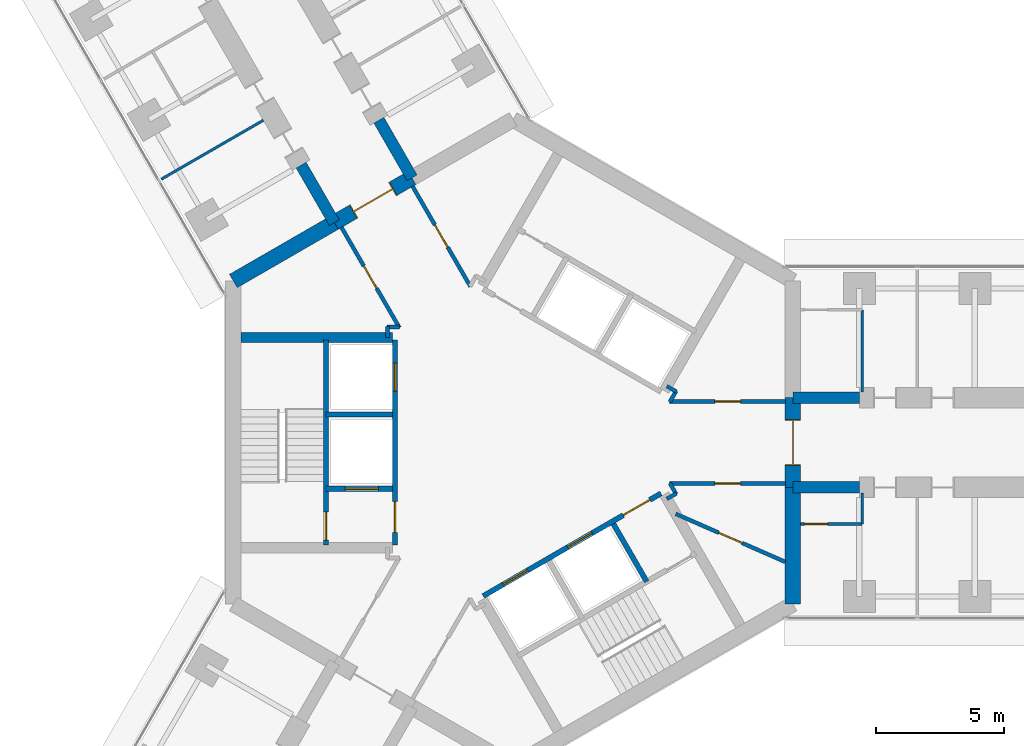
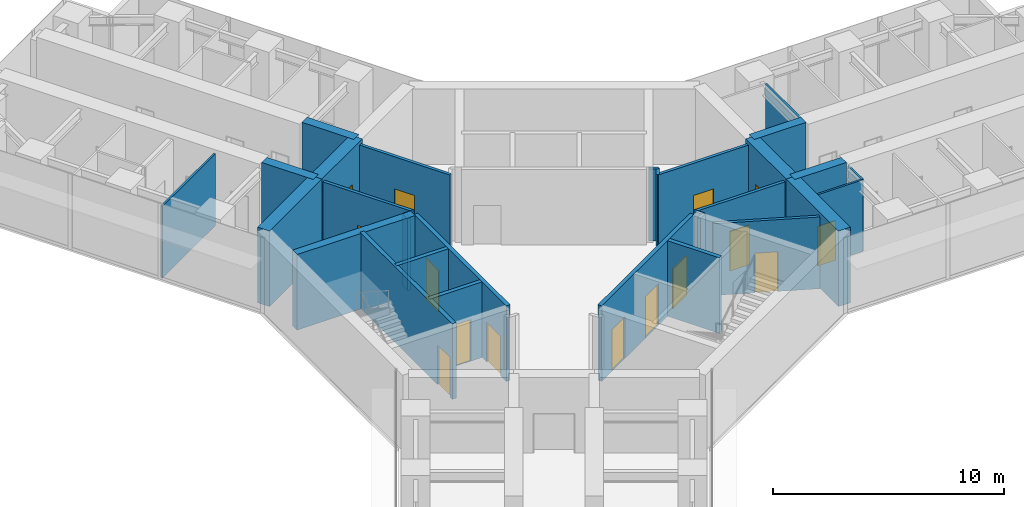
# One storey, part 16 of 23: 30 walls, 15 doors, 15 openings.
"""IFC4 building model written with IfcOpenShell, lengths in metres."""

from ifc_helpers import new_model, si_unit, direction, frame, frame_2d, origin, place, context, subcontext, project, spatial, rectangle, extrude, material, layer, layer_set, type_object, element, fill, save


model = new_model("IFC4")

# Units and contexts
model_context = context("Model", 3, precision=1e-05, world=origin(), true_north=direction((0.0, 1.0)))
body_context = subcontext(model_context, "Body", "Model", "MODEL_VIEW")
ifc_project = project(units=[si_unit("LENGTHUNIT", "METRE"), si_unit("AREAUNIT", "SQUARE_METRE"), si_unit("VOLUMEUNIT", "CUBIC_METRE"), si_unit("PLANEANGLEUNIT", "RADIAN"), si_unit("MASSUNIT", "GRAM", prefix="KILO")], contexts=[model_context])

# Site, building, storey
site_placement = place(None, origin())
site = spatial("IfcSite", under=ifc_project, at=site_placement, CompositionType="ELEMENT")
building_placement = place(site_placement, origin())
building = spatial("IfcBuilding", under=site, at=building_placement, Name="Upepo Twin Towers", CompositionType="ELEMENT")
storey_placement = place(building_placement, frame((0.0, 0.0, 145.5)))
storey = spatial("IfcBuildingStorey", under=building, at=storey_placement, Name="L35", CompositionType="ELEMENT", Elevation=145.5)

# Walls
ifc_material_1 = material(Name="Concrete C60/75", Category="concrete")
ifc_layer_1 = layer(ifc_material_1, 0.449951171875)
ifc_layer_set_1 = layer_set([ifc_layer_1], Name="Concrete C60/75")
wall_type_1 = type_object("IfcWallType", Name="Buttress wall 450 RC", PredefinedType="SHEAR", material=ifc_layer_set_1)
for number, where, z_axis, x_axis, name in (
    (1, (10.908447265625, 1.75, 0.0), (0.0, 0.0, 1.0), (1.0, 0.0, 0.0), "T1 wing A buttress wall L"),
    (2, (10.908447265625, -1.75, 0.0), (0.0, 0.0, 1.0), (1.0, 0.0, 0.0), "T1 wing A buttress wall R"),
):
    element("IfcWall", number, at=place(storey_placement, frame(where, z_axis=z_axis, x_axis=x_axis)), inside=storey, type_object=wall_type_1, Name=name, PredefinedType="SHEAR", context=body_context, shape_type="SweptSolid", body=[
        extrude(rectangle(XDim=2.591552734375, YDim=0.449951171875, at=frame_2d((1.2958984375, 0.0))), origin(), (0.0, 0.0, 1.0), 4.0),
    ])
for number, where, z_axis, x_axis, name in (
    (3, (-6.9697265625, 8.57177734375, 0.0), (0.0, 0.0, 1.0), (-0.499988811324, 0.866031863473, 0.0), "T1 wing B buttress wall L"),
    (4, (-3.938720703125, 10.32177734375, 0.0), (0.0, 0.0, 1.0), (-0.499918158782, 0.866072649678, 0.0), "T1 wing B buttress wall R"),
):
    element("IfcWall", number, at=place(storey_placement, frame(where, z_axis=z_axis, x_axis=x_axis)), inside=storey, type_object=wall_type_1, Name=name, PredefinedType="SHEAR", context=body_context, shape_type="SweptSolid", body=[
        extrude(rectangle(XDim=2.591796875, YDim=0.449951171875, at=frame_2d((1.2958984375, 0.0))), origin(), (0.0, 0.0, 1.0), 4.0),
    ])
ifc_material_2 = material(Name="Concrete C60/75", Category="concrete")
ifc_layer_2 = layer(ifc_material_2, 0.60009765625)
ifc_layer_set_2 = layer_set([ifc_layer_2], Name="Concrete C60/75")
wall_type_2 = type_object("IfcWallType", Name="Core wall 600 RC", PredefinedType="SHEAR", material=ifc_layer_set_2)
wall_1_placement = place(storey_placement, frame((10.908447265625, -6.2978515625, 0.0), z_axis=(0.0, 0.0, 1.0), x_axis=(0.0, 1.0, 0.0)))
element("IfcWall", 5, at=wall_1_placement, inside=storey, type_object=wall_type_2, Name="T1 core wall 000 R", PredefinedType="SHEAR", context=body_context, shape_type="SweptSolid", body=[
    extrude(rectangle(XDim=4.5478515625, YDim=0.60009765625, at=frame_2d((2.27392578125, 0.0))), origin(), (0.0, 0.0, 1.0), 4.0),
])

# Wall, opening, door
wall_2_placement = place(storey_placement, frame((10.908447265625, -1.75, 0.0), z_axis=(0.0, 0.0, 1.0), x_axis=(0.0, 1.0, 0.0)))
wall_2 = element("IfcWall", 6, at=wall_2_placement, inside=storey, type_object=wall_type_2, Name="T1 core wall 000", PredefinedType="SHEAR", context=body_context, shape_type="SweptSolid", body=[
    extrude(rectangle(XDim=3.5, YDim=0.60009765625, at=frame_2d((1.75, 0.0))), origin(), (0.0, 0.0, 1.0), 4.0),
])
opening_1_placement = place(wall_2_placement, frame((0.85009765625, 0.0, 0.0)))
opening_1 = element("IfcOpeningElement", 7, at=opening_1_placement, cuts=wall_2, Name="Opening D2", PredefinedType="OPENING", context=body_context, shape_type="SweptSolid", body=[
    extrude(rectangle(XDim=1.800048828125, YDim=2.10009765625, at=frame_2d((0.89990234375, 1.050048828125))), frame((0.0, 0.31005859375, 0.0), z_axis=(0.0, -1.0, 0.0), x_axis=(1.0, 0.0, 0.0)), (0.0, 0.0, 1.0), 0.6201171875),
])
ifc_material_3 = material(Name="Timber doorset", Category="wood")
door_type_1 = type_object("IfcDoorType", Name="Corridor double door 1800 FD60", OperationType="DOUBLE_DOOR_DOUBLE_SWING", PredefinedType="DOOR", material=ifc_material_3)
door_1_placement = place(opening_1_placement, origin())
door_1 = element("IfcDoor", 8, at=door_1_placement, inside=storey, type_object=door_type_1, Name="T1 L35 wing A corridor door", OperationType="DOUBLE_DOOR_DOUBLE_SWING", OverallHeight=2.10009765625, OverallWidth=1.800048828125, PredefinedType="DOOR", context=body_context, shape_type="SweptSolid", body=[
    extrude(rectangle(XDim=1.720048828125, YDim=2.06009765625, at=frame_2d((0.89990234375, 1.030029296875))), frame((0.0, 0.02490234375, 0.0), z_axis=(0.0, -1.0, 0.0), x_axis=(1.0, 0.0, 0.0)), (0.0, 0.0, 1.0), 0.050048828125),
    extrude(rectangle(XDim=0.04, YDim=2.10009765625, at=frame_2d((0.02001953125, 1.050048828125))), frame((0.0, 0.2998046875, 0.0), z_axis=(0.0, -1.0, 0.0), x_axis=(1.0, 0.0, 0.0)), (0.0, 0.0, 1.0), 0.599609375),
    extrude(rectangle(XDim=0.04, YDim=2.10009765625, at=frame_2d((1.780029296875, 1.050048828125))), frame((0.0, 0.2998046875, 0.0), z_axis=(0.0, -1.0, 0.0), x_axis=(1.0, 0.0, 0.0)), (0.0, 0.0, 1.0), 0.599609375),
    extrude(rectangle(XDim=1.720048828125, YDim=0.04, at=frame_2d((0.89990234375, 2.080078125))), frame((0.0, 0.2998046875, 0.0), z_axis=(0.0, -1.0, 0.0), x_axis=(1.0, 0.0, 0.0)), (0.0, 0.0, 1.0), 0.599609375),
])
fill(opening_1, door_1)

wall_3_placement = place(storey_placement, frame((-3.938720703125, 10.32177734375, 0.0), z_axis=(0.0, 0.0, 1.0), x_axis=(-0.866019471182, -0.500010275428, 0.0)))
wall_3 = element("IfcWall", 9, at=wall_3_placement, inside=storey, type_object=wall_type_2, Name="T1 core wall 120", PredefinedType="SHEAR", context=body_context, shape_type="SweptSolid", body=[
    extrude(rectangle(XDim=3.5, YDim=0.60009765625, at=frame_2d((1.75, 0.0))), origin(), (0.0, 0.0, 1.0), 4.0),
])
opening_2_placement = place(wall_3_placement, frame((0.85009765625, 0.0, 0.0)))
opening_2 = element("IfcOpeningElement", 10, at=opening_2_placement, cuts=wall_3, Name="Opening D2", PredefinedType="OPENING", context=body_context, shape_type="SweptSolid", body=[
    extrude(rectangle(XDim=1.800048828125, YDim=2.10009765625, at=frame_2d((0.89990234375, 1.050048828125))), frame((0.0, 0.31005859375, 0.0), z_axis=(0.0, -1.0, 0.0), x_axis=(1.0, 0.0, 0.0)), (0.0, 0.0, 1.0), 0.6201171875),
])
door_2_placement = place(opening_2_placement, origin())
door_2 = element("IfcDoor", 11, at=door_2_placement, inside=storey, type_object=door_type_1, Name="T1 L35 wing B corridor door", OperationType="DOUBLE_DOOR_DOUBLE_SWING", OverallHeight=2.10009765625, OverallWidth=1.800048828125, PredefinedType="DOOR", context=body_context, shape_type="SweptSolid", body=[
    extrude(rectangle(XDim=1.720048828125, YDim=2.06009765625, at=frame_2d((0.89990234375, 1.030029296875))), frame((0.0, 0.02490234375, 0.0), z_axis=(0.0, -1.0, 0.0), x_axis=(1.0, 0.0, 0.0)), (0.0, 0.0, 1.0), 0.050048828125),
    extrude(rectangle(XDim=0.04, YDim=2.10009765625, at=frame_2d((0.02001953125, 1.050048828125))), frame((0.0, 0.2998046875, 0.0), z_axis=(0.0, -1.0, 0.0), x_axis=(1.0, 0.0, 0.0)), (0.0, 0.0, 1.0), 0.599609375),
    extrude(rectangle(XDim=0.04, YDim=2.10009765625, at=frame_2d((1.780029296875, 1.050048828125))), frame((0.0, 0.2998046875, 0.0), z_axis=(0.0, -1.0, 0.0), x_axis=(1.0, 0.0, 0.0)), (0.0, 0.0, 1.0), 0.599609375),
    extrude(rectangle(XDim=1.720048828125, YDim=0.04, at=frame_2d((0.89990234375, 2.080078125))), frame((0.0, 0.2998046875, 0.0), z_axis=(0.0, -1.0, 0.0), x_axis=(1.0, 0.0, 0.0)), (0.0, 0.0, 1.0), 0.599609375),
])
fill(opening_2, door_2)

# Walls
wall_4_placement = place(storey_placement, frame((-6.9697265625, 8.57177734375, 0.0), z_axis=(0.0, 0.0, 1.0), x_axis=(-0.866034513004, -0.499984222037, 0.0)))
element("IfcWall", 12, at=wall_4_placement, inside=storey, type_object=wall_type_2, Name="T1 core wall 120 L", PredefinedType="SHEAR", context=body_context, shape_type="SweptSolid", body=[
    extrude(rectangle(XDim=4.548095703125, YDim=0.60009765625, at=frame_2d((2.27392578125, 0.0))), origin(), (0.0, 0.0, 1.0), 4.0),
])
ifc_material_4 = material(Name="Gypsum board on steel studs", Category="steel")
ifc_layer_3 = layer(ifc_material_4, 0.10009765625)
ifc_layer_set_3 = layer_set([ifc_layer_3], Name="Office partition 100 stud")
wall_type_3 = type_object("IfcWallType", Name="Office partition 100 stud", PredefinedType="PARTITIONING", material=ifc_layer_set_3)
wall_5_placement = place(storey_placement, frame((13.60791015625, 1.97509765625, 0.0), z_axis=(0.0, 0.0, 1.0), x_axis=(0.0, 1.0, 0.0)))
element("IfcWall", 13, at=wall_5_placement, inside=storey, type_object=wall_type_3, Name="T1 WC bay partition AL end at 13.61", PredefinedType="PARTITIONING", context=body_context, shape_type="SweptSolid", body=[
    extrude(rectangle(XDim=3.199951171875, YDim=0.10009765625, at=frame_2d((1.60009765625, 0.0))), origin(), (0.0, 0.0, 1.0), 3.800048828125),
])

# Wall, opening, door
wall_6_placement = place(storey_placement, frame((11.2080078125, -3.175048828125, 0.0), z_axis=(0.0, 0.0, 1.0), x_axis=(1.0, 0.0, 0.0)))
wall_6 = element("IfcWall", 14, at=wall_6_placement, inside=storey, type_object=wall_type_3, Name="T1 WC bay partition AR at 11.21", PredefinedType="PARTITIONING", context=body_context, shape_type="SweptSolid", body=[
    extrude(rectangle(XDim=2.39990234375, YDim=0.10009765625, at=frame_2d((1.199951171875, 0.0))), origin(), (0.0, 0.0, 1.0), 3.800048828125),
])
opening_3_placement = place(wall_6_placement, frame((0.14990234375, 0.0, 0.0)))
opening_3 = element("IfcOpeningElement", 15, at=opening_3_placement, cuts=wall_6, Name="Opening D14", PredefinedType="OPENING", context=body_context, shape_type="SweptSolid", body=[
    extrude(rectangle(XDim=0.89990234375, YDim=2.10009765625, at=frame_2d((0.449951171875, 1.050048828125))), frame((0.0, 0.06005859375, 0.0), z_axis=(0.0, -1.0, 0.0), x_axis=(1.0, 0.0, 0.0)), (0.0, 0.0, 1.0), 0.1201171875),
])
ifc_material_5 = material(Name="Timber doorset", Category="wood")
door_type_2 = type_object("IfcDoorType", Name="Office door 900 FD30", OperationType="SINGLE_SWING_LEFT", PredefinedType="DOOR", material=ifc_material_5)
door_3_placement = place(opening_3_placement, origin())
door_3 = element("IfcDoor", 16, at=door_3_placement, inside=storey, type_object=door_type_2, Name="T1 L35 WC bay inner room door", OperationType="SINGLE_SWING_LEFT", OverallHeight=2.10009765625, OverallWidth=0.89990234375, PredefinedType="DOOR", context=body_context, shape_type="SweptSolid", body=[
    extrude(rectangle(XDim=0.89990234375, YDim=2.10009765625, at=frame_2d((0.449951171875, 1.050048828125))), frame((0.0, 0.02490234375, 0.0), z_axis=(0.0, -1.0, 0.0), x_axis=(1.0, 0.0, 0.0)), (0.0, 0.0, 1.0), 0.050048828125),
])
fill(opening_3, door_3)

# Walls
wall_7_placement = place(storey_placement, frame((13.60791015625, -1.97509765625, 0.0), z_axis=(0.0, 0.0, 1.0), x_axis=(0.0, -1.0, 0.0)))
element("IfcWall", 17, at=wall_7_placement, inside=storey, type_object=wall_type_3, Name="T1 WC bay partition AR end at 13.61", PredefinedType="PARTITIONING", context=body_context, shape_type="SweptSolid", body=[
    extrude(rectangle(XDim=1.199951171875, YDim=0.10009765625, at=frame_2d((0.60009765625, 0.0))), origin(), (0.0, 0.0, 1.0), 3.800048828125),
])
wall_8_placement = place(storey_placement, frame((-9.737060546875, 12.56494140625, 0.0), z_axis=(0.0, 0.0, 1.0), x_axis=(-0.866016770315, -0.500014953309, 0.0)))
element("IfcWall", 18, at=wall_8_placement, inside=storey, type_object=wall_type_3, Name="T1 partition BL at 15.75", PredefinedType="PARTITIONING", context=body_context, shape_type="SweptSolid", body=[
    extrude(rectangle(XDim=4.599853515625, YDim=0.10009765625, at=frame_2d((2.2998046875, 0.0))), origin(), (0.0, 0.0, 1.0), 3.800048828125),
])

# Wall, openings, doors
ifc_material_6 = material(Name="Concrete C40/50", Category="concrete")
ifc_layer_4 = layer(ifc_material_6, 0.199951171875)
ifc_layer_set_4 = layer_set([ifc_layer_4], Name="Concrete C40/50")
wall_type_4 = type_object("IfcWallType", Name="Shaft wall 200 RC", PredefinedType="SHEAR", material=ifc_layer_set_4)
wall_9_placement = place(storey_placement, frame((-4.60009765625, 4.0, 0.0), z_axis=(0.0, 0.0, 1.0), x_axis=(0.0, -1.0, 0.0)))
wall_9 = element("IfcWall", 19, at=wall_9_placement, inside=storey, type_object=wall_type_4, Name="T1 core W180 front wall", PredefinedType="SHEAR", context=body_context, shape_type="SweptSolid", body=[
    extrude(rectangle(XDim=8.0, YDim=0.199951171875, at=frame_2d((4.0, 0.0))), origin(), (0.0, 0.0, 1.0), 4.0),
])
opening_4_placement = place(wall_9_placement, frame((6.300048828125, 0.0, 0.0)))
opening_4 = element("IfcOpeningElement", 20, at=opening_4_placement, cuts=wall_9, Name="Opening D4", PredefinedType="OPENING", context=body_context, shape_type="SweptSolid", body=[
    extrude(rectangle(XDim=1.199951171875, YDim=2.10009765625, at=frame_2d((0.60009765625, 1.050048828125))), frame((0.0, 0.10986328125, 0.0), z_axis=(0.0, -1.0, 0.0), x_axis=(1.0, 0.0, 0.0)), (0.0, 0.0, 1.0), 0.219970703125),
])
opening_5_placement = place(wall_9_placement, frame((0.89990234375, 0.0, 0.0)))
opening_5 = element("IfcOpeningElement", 21, at=opening_5_placement, cuts=wall_9, Name="Opening LD1", PredefinedType="OPENING", context=body_context, shape_type="SweptSolid", body=[
    extrude(rectangle(XDim=1.10009765625, YDim=2.199951171875, at=frame_2d((0.550048828125, 1.10009765625))), frame((0.0, 0.10986328125, 0.0), z_axis=(0.0, -1.0, 0.0), x_axis=(1.0, 0.0, 0.0)), (0.0, 0.0, 1.0), 0.219970703125),
])
ifc_material_7 = material(Name="Steel doorset", Category="steel")
door_type_3 = type_object("IfcDoorType", Name="Lift landing door 1100", OperationType="DOUBLE_DOOR_SLIDING", PredefinedType="DOOR", material=ifc_material_7)
door_4_placement = place(opening_5_placement, origin())
door_4 = element("IfcDoor", 22, at=door_4_placement, inside=storey, type_object=door_type_3, Name="T1 L35 lift SV1 landing door", OperationType="DOUBLE_DOOR_SLIDING", OverallHeight=2.199951171875, OverallWidth=1.10009765625, PredefinedType="DOOR", context=body_context, shape_type="SweptSolid", body=[
    extrude(rectangle(XDim=1.10009765625, YDim=2.199951171875, at=frame_2d((0.550048828125, 1.10009765625))), frame((0.0, 0.02490234375, 0.0), z_axis=(0.0, -1.0, 0.0), x_axis=(1.0, 0.0, 0.0)), (0.0, 0.0, 1.0), 0.050048828125),
])
fill(opening_5, door_4)
ifc_material_8 = material(Name="Timber doorset", Category="wood")
door_type_4 = type_object("IfcDoorType", Name="Lobby door 1200 FD60", OperationType="SINGLE_SWING_LEFT", PredefinedType="DOOR", material=ifc_material_8)
door_5_placement = place(opening_4_placement, origin())
door_5 = element("IfcDoor", 23, at=door_5_placement, inside=storey, type_object=door_type_4, Name="T1 L35 W180 lobby door", OperationType="SINGLE_SWING_RIGHT", OverallHeight=2.10009765625, OverallWidth=1.199951171875, PredefinedType="DOOR", context=body_context, shape_type="SweptSolid", body=[
    extrude(rectangle(XDim=1.199951171875, YDim=2.10009765625, at=frame_2d((0.60009765625, 1.050048828125))), frame((0.0, 0.02490234375, 0.0), z_axis=(0.0, -1.0, 0.0), x_axis=(1.0, 0.0, 0.0)), (0.0, 0.0, 1.0), 0.050048828125),
])
fill(opening_4, door_5)

# Wall
wall_10_placement = place(storey_placement, frame((-4.699951171875, 1.10009765625, 0.0), z_axis=(0.0, 0.0, 1.0), x_axis=(-1.0, 0.0, 0.0)))
element("IfcWall", 24, at=wall_10_placement, inside=storey, type_object=wall_type_4, Name="T1 core W180 shaft divider", PredefinedType="SHEAR", context=body_context, shape_type="SweptSolid", body=[
    extrude(rectangle(XDim=2.60009765625, YDim=0.199951171875, at=frame_2d((1.300048828125, 0.0))), origin(), (0.0, 0.0, 1.0), 4.0),
])

# Wall, opening, door
wall_11_placement = place(storey_placement, frame((-4.699951171875, -1.800048828125, 0.0), z_axis=(0.0, 0.0, 1.0), x_axis=(-1.0, 0.0, 0.0)))
wall_11 = element("IfcWall", 25, at=wall_11_placement, inside=storey, type_object=wall_type_4, Name="T1 core W180 lobby wall", PredefinedType="SHEAR", context=body_context, shape_type="SweptSolid", body=[
    extrude(rectangle(XDim=2.60009765625, YDim=0.199951171875, at=frame_2d((1.300048828125, 0.0))), origin(), (0.0, 0.0, 1.0), 4.0),
])
opening_6_placement = place(wall_11_placement, frame((0.550048828125, 0.0, 0.0)))
opening_6 = element("IfcOpeningElement", 26, at=opening_6_placement, cuts=wall_11, Name="Opening LD2", PredefinedType="OPENING", context=body_context, shape_type="SweptSolid", body=[
    extrude(rectangle(XDim=1.300048828125, YDim=2.199951171875, at=frame_2d((0.64990234375, 1.10009765625))), frame((0.0, 0.10986328125, 0.0), z_axis=(0.0, -1.0, 0.0), x_axis=(1.0, 0.0, 0.0)), (0.0, 0.0, 1.0), 0.219970703125),
])
ifc_material_9 = material(Name="Steel doorset", Category="steel")
door_type_5 = type_object("IfcDoorType", Name="Firefighting lift landing door 1300", OperationType="DOUBLE_DOOR_SLIDING", PredefinedType="DOOR", material=ifc_material_9)
door_6_placement = place(opening_6_placement, origin())
door_6 = element("IfcDoor", 27, at=door_6_placement, inside=storey, type_object=door_type_5, Name="T1 L35 firefighting lift landing door", OperationType="DOUBLE_DOOR_SLIDING", OverallHeight=2.199951171875, OverallWidth=1.300048828125, PredefinedType="DOOR", context=body_context, shape_type="SweptSolid", body=[
    extrude(rectangle(XDim=1.300048828125, YDim=2.199951171875, at=frame_2d((0.64990234375, 1.10009765625))), frame((0.0, 0.02490234375, 0.0), z_axis=(0.0, -1.0, 0.0), x_axis=(1.0, 0.0, 0.0)), (0.0, 0.0, 1.0), 0.050048828125),
])
fill(opening_6, door_6)

wall_12_placement = place(storey_placement, frame((-7.300048828125, 4.0, 0.0), z_axis=(0.0, 0.0, 1.0), x_axis=(0.0, -1.0, 0.0)))
wall_12 = element("IfcWall", 28, at=wall_12_placement, inside=storey, type_object=wall_type_4, Name="T1 core W180 stair wall", PredefinedType="SHEAR", context=body_context, shape_type="SweptSolid", body=[
    extrude(rectangle(XDim=8.0, YDim=0.199951171875, at=frame_2d((4.0, 0.0))), origin(), (0.0, 0.0, 1.0), 4.0),
])
opening_7_placement = place(wall_12_placement, frame((6.699951171875, 0.0, 0.0)))
opening_7 = element("IfcOpeningElement", 29, at=opening_7_placement, cuts=wall_12, Name="Opening D3", PredefinedType="OPENING", context=body_context, shape_type="SweptSolid", body=[
    extrude(rectangle(XDim=1.10009765625, YDim=2.10009765625, at=frame_2d((0.550048828125, 1.050048828125))), frame((0.0, 0.10986328125, 0.0), z_axis=(0.0, -1.0, 0.0), x_axis=(1.0, 0.0, 0.0)), (0.0, 0.0, 1.0), 0.219970703125),
])
ifc_material_10 = material(Name="Timber doorset", Category="wood")
door_type_6 = type_object("IfcDoorType", Name="Stair door 1100 FD60", OperationType="SINGLE_SWING_LEFT", PredefinedType="DOOR", material=ifc_material_10)
door_7_placement = place(opening_7_placement, origin())
door_7 = element("IfcDoor", 30, at=door_7_placement, inside=storey, type_object=door_type_6, Name="T1 L35 stair door", OperationType="SINGLE_SWING_RIGHT", OverallHeight=2.10009765625, OverallWidth=1.10009765625, PredefinedType="DOOR", context=body_context, shape_type="SweptSolid", body=[
    extrude(rectangle(XDim=1.10009765625, YDim=2.10009765625, at=frame_2d((0.550048828125, 1.050048828125))), frame((0.0, 0.02490234375, 0.0), z_axis=(0.0, -1.0, 0.0), x_axis=(1.0, 0.0, 0.0)), (0.0, 0.0, 1.0), 0.050048828125),
])
fill(opening_7, door_7)

# Wall, openings, doors
wall_13_placement = place(storey_placement, frame((-1.1640625, -5.983642578125, 0.0), z_axis=(0.0, 0.0, 1.0), x_axis=(0.866026010844, 0.49999894854, 0.0)))
wall_13 = element("IfcWall", 31, at=wall_13_placement, inside=storey, type_object=wall_type_4, Name="T1 core W300 front wall", PredefinedType="SHEAR", context=body_context, shape_type="SweptSolid", body=[
    extrude(rectangle(XDim=8.0, YDim=0.199951171875, at=frame_2d((4.0, 0.0))), origin(), (0.0, 0.0, 1.0), 4.0),
])
opening_8_placement = place(wall_13_placement, frame((6.300048828125, 0.0, 0.0)))
opening_8 = element("IfcOpeningElement", 32, at=opening_8_placement, cuts=wall_13, Name="Opening D4", PredefinedType="OPENING", context=body_context, shape_type="SweptSolid", body=[
    extrude(rectangle(XDim=1.199951171875, YDim=2.10009765625, at=frame_2d((0.60009765625, 1.050048828125))), frame((0.0, 0.10986328125, 0.0), z_axis=(0.0, -1.0, 0.0), x_axis=(1.0, 0.0, 0.0)), (0.0, 0.0, 1.0), 0.219970703125),
])
opening_9_placement = place(wall_13_placement, frame((0.89990234375, 0.0, 0.0)))
opening_9 = element("IfcOpeningElement", 33, at=opening_9_placement, cuts=wall_13, Name="Opening LD1", PredefinedType="OPENING", context=body_context, shape_type="SweptSolid", body=[
    extrude(rectangle(XDim=1.10009765625, YDim=2.199951171875, at=frame_2d((0.550048828125, 1.10009765625))), frame((0.0, 0.10986328125, 0.0), z_axis=(0.0, -1.0, 0.0), x_axis=(1.0, 0.0, 0.0)), (0.0, 0.0, 1.0), 0.219970703125),
])
opening_10_placement = place(wall_13_placement, frame((3.800048828125, 0.0, 0.0)))
opening_10 = element("IfcOpeningElement", 34, at=opening_10_placement, cuts=wall_13, Name="Opening LD1", PredefinedType="OPENING", context=body_context, shape_type="SweptSolid", body=[
    extrude(rectangle(XDim=1.10009765625, YDim=2.199951171875, at=frame_2d((0.550048828125, 1.10009765625))), frame((0.0, 0.10986328125, 0.0), z_axis=(0.0, -1.0, 0.0), x_axis=(1.0, 0.0, 0.0)), (0.0, 0.0, 1.0), 0.219970703125),
])
door_8_placement = place(opening_9_placement, origin())
door_8 = element("IfcDoor", 35, at=door_8_placement, inside=storey, type_object=door_type_3, Name="T1 L35 lift ML1 landing door", OperationType="DOUBLE_DOOR_SLIDING", OverallHeight=2.199951171875, OverallWidth=1.10009765625, PredefinedType="DOOR", context=body_context, shape_type="SweptSolid", body=[
    extrude(rectangle(XDim=1.10009765625, YDim=2.199951171875, at=frame_2d((0.550048828125, 1.10009765625))), frame((0.0, 0.02490234375, 0.0), z_axis=(0.0, -1.0, 0.0), x_axis=(1.0, 0.0, 0.0)), (0.0, 0.0, 1.0), 0.050048828125),
])
fill(opening_9, door_8)
door_9_placement = place(opening_10_placement, origin())
door_9 = element("IfcDoor", 36, at=door_9_placement, inside=storey, type_object=door_type_3, Name="T1 L35 lift ML2 landing door", OperationType="DOUBLE_DOOR_SLIDING", OverallHeight=2.199951171875, OverallWidth=1.10009765625, PredefinedType="DOOR", context=body_context, shape_type="SweptSolid", body=[
    extrude(rectangle(XDim=1.10009765625, YDim=2.199951171875, at=frame_2d((0.550048828125, 1.10009765625))), frame((0.0, 0.02490234375, 0.0), z_axis=(0.0, -1.0, 0.0), x_axis=(1.0, 0.0, 0.0)), (0.0, 0.0, 1.0), 0.050048828125),
])
fill(opening_10, door_9)
door_10_placement = place(opening_8_placement, origin())
door_10 = element("IfcDoor", 37, at=door_10_placement, inside=storey, type_object=door_type_4, Name="T1 L35 W300 lobby door", OperationType="SINGLE_SWING_RIGHT", OverallHeight=2.10009765625, OverallWidth=1.199951171875, PredefinedType="DOOR", context=body_context, shape_type="SweptSolid", body=[
    extrude(rectangle(XDim=1.199951171875, YDim=2.10009765625, at=frame_2d((0.60009765625, 1.050048828125))), frame((0.0, 0.02490234375, 0.0), z_axis=(0.0, -1.0, 0.0), x_axis=(1.0, 0.0, 0.0)), (0.0, 0.0, 1.0), 0.050048828125),
])
fill(opening_8, door_10)

# Walls
wall_14_placement = place(storey_placement, frame((3.908935546875, -3.17041015625, 0.0), z_axis=(0.0, 0.0, 1.0), x_axis=(0.49997716683, -0.86603858612, 0.0)))
element("IfcWall", 38, at=wall_14_placement, inside=storey, type_object=wall_type_4, Name="T1 core W300 lobby wall", PredefinedType="SHEAR", context=body_context, shape_type="SweptSolid", body=[
    extrude(rectangle(XDim=2.599609375, YDim=0.199951171875, at=frame_2d((1.2998046875, 0.0))), origin(), (0.0, 0.0, 1.0), 4.0),
])
ifc_material_11 = material(Name="Concrete C40/50", Category="concrete")
ifc_layer_5 = layer(ifc_material_11, 0.39990234375)
ifc_layer_set_5 = layer_set([ifc_layer_5], Name="Concrete C40/50")
wall_type_5 = type_object("IfcWallType", Name="Shaft wall 400 RC", PredefinedType="SHEAR", material=ifc_layer_set_5)
wall_15_placement = place(storey_placement, frame((-4.699951171875, 4.10009765625, 0.0), z_axis=(0.0, 0.0, 1.0), x_axis=(-1.0, 0.0, 0.0)))
element("IfcWall", 39, at=wall_15_placement, inside=storey, type_object=wall_type_5, Name="T1 core W180 side wall S", PredefinedType="SHEAR", context=body_context, shape_type="SweptSolid", body=[
    extrude(rectangle(XDim=5.908447265625, YDim=0.39990234375, at=frame_2d((2.9541015625, 0.0))), origin(), (0.0, 0.0, 1.0), 4.0),
])
ifc_material_12 = material(Name="Gypsum board on steel studs", Category="steel")
ifc_layer_6 = layer(ifc_material_12, 0.14990234375)
ifc_layer_set_6 = layer_set([ifc_layer_6], Name="Teaching partition 150 acoustic")
wall_type_6 = type_object("IfcWallType", Name="Teaching partition 150 acoustic", PredefinedType="PARTITIONING", material=ifc_layer_set_6)
for number, where, z_axis, x_axis, name in (
    (40, (6.364501953125, -1.9833984375, 0.0), (0.0, 0.0, 1.0), (-0.865892400268, -0.500230298122, 0.0), "T1 core room partition 1"),
    (41, (-4.89990234375, 4.090087890625, 0.0), (0.0, 0.0, 1.0), (0.0, 1.0, 0.0), "T1 core room partition 8"),
):
    element("IfcWall", number, at=place(storey_placement, frame(where, z_axis=z_axis, x_axis=x_axis)), inside=storey, type_object=wall_type_6, Name=name, PredefinedType="PARTITIONING", context=body_context, shape_type="SweptSolid", body=[
        extrude(rectangle(XDim=0.429931640625, YDim=0.14990234375, at=frame_2d((0.21484375, 0.0))), origin(), (0.0, 0.0, 1.0), 3.800048828125),
    ])
wall_16_placement = place(storey_placement, frame((-4.919921875, 4.5, 0.0), z_axis=(0.0, 0.0, 1.0), x_axis=(1.0, 0.0, 0.0)))
element("IfcWall", 42, at=wall_16_placement, inside=storey, type_object=wall_type_6, Name="T1 core room partition 9", PredefinedType="PARTITIONING", context=body_context, shape_type="SweptSolid", body=[
    extrude(rectangle(XDim=0.494384765625, YDim=0.14990234375, at=frame_2d((0.2470703125, 0.0))), origin(), (0.0, 0.0, 1.0), 3.800048828125),
])

# Wall, opening, door
wall_17_placement = place(storey_placement, frame((-4.435546875, 4.482666015625, 0.0), z_axis=(0.0, 0.0, 1.0), x_axis=(-0.500009315796, 0.86602002524, 0.0)))
wall_17 = element("IfcWall", 43, at=wall_17_placement, inside=storey, type_object=wall_type_6, Name="T1 core room partition 10", PredefinedType="PARTITIONING", context=body_context, shape_type="SweptSolid", body=[
    extrude(rectangle(XDim=4.5185546875, YDim=0.14990234375, at=frame_2d((2.25927734375, 0.0))), origin(), (0.0, 0.0, 1.0), 3.800048828125),
])
opening_11_placement = place(wall_17_placement, frame((1.769287109375, 0.0, 0.0)))
opening_11 = element("IfcOpeningElement", 44, at=opening_11_placement, cuts=wall_17, Name="Opening D1", PredefinedType="OPENING", context=body_context, shape_type="SweptSolid", body=[
    extrude(rectangle(XDim=1.0, YDim=2.10009765625, at=frame_2d((0.5, 1.050048828125))), frame((0.0, 0.0849609375, 0.0), z_axis=(0.0, -1.0, 0.0), x_axis=(1.0, 0.0, 0.0)), (0.0, 0.0, 1.0), 0.169921875),
])
ifc_material_13 = material(Name="Timber doorset", Category="wood")
door_type_7 = type_object("IfcDoorType", Name="Room door 1000 FD30", OperationType="SINGLE_SWING_LEFT", PredefinedType="DOOR", material=ifc_material_13)
door_11_placement = place(opening_11_placement, origin())
door_11 = element("IfcDoor", 45, at=door_11_placement, inside=storey, type_object=door_type_7, Name="T1 L35 core room door K7", OperationType="SINGLE_SWING_RIGHT", OverallHeight=2.10009765625, OverallWidth=1.0, PredefinedType="DOOR", context=body_context, shape_type="SweptSolid", body=[
    extrude(rectangle(XDim=1.0, YDim=2.10009765625, at=frame_2d((0.5, 1.050048828125))), frame((0.0, 0.02490234375, 0.0), z_axis=(0.0, -1.0, 0.0), x_axis=(1.0, 0.0, 0.0)), (0.0, 0.0, 1.0), 0.050048828125),
])
fill(opening_11, door_11)

wall_18_placement = place(storey_placement, frame((-3.923583984375, 9.99560546875, 0.0), z_axis=(0.0, 0.0, 1.0), x_axis=(0.500032713409, -0.866006515865, 0.0)))
wall_18 = element("IfcWall", 46, at=wall_18_placement, inside=storey, type_object=wall_type_6, Name="T1 core room partition 11", PredefinedType="PARTITIONING", context=body_context, shape_type="SweptSolid", body=[
    extrude(rectangle(XDim=4.518310546875, YDim=0.14990234375, at=frame_2d((2.25927734375, 0.0))), origin(), (0.0, 0.0, 1.0), 3.800048828125),
])
opening_12_placement = place(wall_18_placement, frame((1.7490234375, 0.0, 0.0)))
opening_12 = element("IfcOpeningElement", 47, at=opening_12_placement, cuts=wall_18, Name="Opening D1", PredefinedType="OPENING", context=body_context, shape_type="SweptSolid", body=[
    extrude(rectangle(XDim=1.0, YDim=2.10009765625, at=frame_2d((0.5, 1.050048828125))), frame((0.0, 0.0849609375, 0.0), z_axis=(0.0, -1.0, 0.0), x_axis=(1.0, 0.0, 0.0)), (0.0, 0.0, 1.0), 0.169921875),
])
door_12_placement = place(opening_12_placement, origin())
door_12 = element("IfcDoor", 48, at=door_12_placement, inside=storey, type_object=door_type_7, Name="T1 L35 core room door K6", OperationType="SINGLE_SWING_LEFT", OverallHeight=2.10009765625, OverallWidth=1.0, PredefinedType="DOOR", context=body_context, shape_type="SweptSolid", body=[
    extrude(rectangle(XDim=1.0, YDim=2.10009765625, at=frame_2d((0.5, 1.050048828125))), frame((0.0, 0.02490234375, 0.0), z_axis=(0.0, -1.0, 0.0), x_axis=(1.0, 0.0, 0.0)), (0.0, 0.0, 1.0), 0.050048828125),
])
fill(opening_12, door_12)

# Walls
wall_19_placement = place(storey_placement, frame((5.9921875, 2.198486328125, 0.0), z_axis=(0.0, 0.0, 1.0), x_axis=(0.865892400268, -0.500230298122, 0.0)))
element("IfcWall", 49, at=wall_19_placement, inside=storey, type_object=wall_type_6, Name="T1 core room partition 14", PredefinedType="PARTITIONING", context=body_context, shape_type="SweptSolid", body=[
    extrude(rectangle(XDim=0.429931640625, YDim=0.14990234375, at=frame_2d((0.21484375, 0.0))), origin(), (0.0, 0.0, 1.0), 3.800048828125),
])
wall_20_placement = place(storey_placement, frame((6.357177734375, 2.0107421875, 0.0), z_axis=(0.0, 0.0, 1.0), x_axis=(-0.50033519877, -0.865831790172, 0.0)))
element("IfcWall", 50, at=wall_20_placement, inside=storey, type_object=wall_type_6, Name="T1 core room partition 15", PredefinedType="PARTITIONING", context=body_context, shape_type="SweptSolid", body=[
    extrude(rectangle(XDim=0.494384765625, YDim=0.14990234375, at=frame_2d((0.2470703125, 0.0))), origin(), (0.0, 0.0, 1.0), 3.800048828125),
])

# Wall, opening, door
wall_21_placement = place(storey_placement, frame((6.099853515625, 1.60009765625, 0.0), z_axis=(0.0, 0.0, 1.0), x_axis=(1.0, 0.0, 0.0)))
wall_21 = element("IfcWall", 51, at=wall_21_placement, inside=storey, type_object=wall_type_6, Name="T1 core room partition 16", PredefinedType="PARTITIONING", context=body_context, shape_type="SweptSolid", body=[
    extrude(rectangle(XDim=4.5185546875, YDim=0.14990234375, at=frame_2d((2.25927734375, 0.0))), origin(), (0.0, 0.0, 1.0), 3.800048828125),
])
opening_13_placement = place(wall_21_placement, frame((1.769287109375, 0.0, 0.0)))
opening_13 = element("IfcOpeningElement", 52, at=opening_13_placement, cuts=wall_21, Name="Opening D1", PredefinedType="OPENING", context=body_context, shape_type="SweptSolid", body=[
    extrude(rectangle(XDim=1.0, YDim=2.10009765625, at=frame_2d((0.5, 1.050048828125))), frame((0.0, 0.0849609375, 0.0), z_axis=(0.0, -1.0, 0.0), x_axis=(1.0, 0.0, 0.0)), (0.0, 0.0, 1.0), 0.169921875),
])
door_13_placement = place(opening_13_placement, origin())
door_13 = element("IfcDoor", 53, at=door_13_placement, inside=storey, type_object=door_type_7, Name="T1 L35 core room door K5", OperationType="SINGLE_SWING_RIGHT", OverallHeight=2.10009765625, OverallWidth=1.0, PredefinedType="DOOR", context=body_context, shape_type="SweptSolid", body=[
    extrude(rectangle(XDim=1.0, YDim=2.10009765625, at=frame_2d((0.5, 1.050048828125))), frame((0.0, 0.02490234375, 0.0), z_axis=(0.0, -1.0, 0.0), x_axis=(1.0, 0.0, 0.0)), (0.0, 0.0, 1.0), 0.050048828125),
])
fill(opening_13, door_13)

wall_22_placement = place(storey_placement, frame((10.618408203125, -1.60009765625, 0.0), z_axis=(0.0, 0.0, 1.0), x_axis=(-1.0, 0.0, 0.0)))
wall_22 = element("IfcWall", 54, at=wall_22_placement, inside=storey, type_object=wall_type_6, Name="T1 core room partition 17", PredefinedType="PARTITIONING", context=body_context, shape_type="SweptSolid", body=[
    extrude(rectangle(XDim=4.5185546875, YDim=0.14990234375, at=frame_2d((2.25927734375, 0.0))), origin(), (0.0, 0.0, 1.0), 3.800048828125),
])
opening_14_placement = place(wall_22_placement, frame((1.7490234375, 0.0, 0.0)))
opening_14 = element("IfcOpeningElement", 55, at=opening_14_placement, cuts=wall_22, Name="Opening D1", PredefinedType="OPENING", context=body_context, shape_type="SweptSolid", body=[
    extrude(rectangle(XDim=1.0, YDim=2.10009765625, at=frame_2d((0.5, 1.050048828125))), frame((0.0, 0.0849609375, 0.0), z_axis=(0.0, -1.0, 0.0), x_axis=(1.0, 0.0, 0.0)), (0.0, 0.0, 1.0), 0.169921875),
])
door_14_placement = place(opening_14_placement, origin())
door_14 = element("IfcDoor", 56, at=door_14_placement, inside=storey, type_object=door_type_7, Name="T1 L35 core room door K3", OperationType="SINGLE_SWING_LEFT", OverallHeight=2.10009765625, OverallWidth=1.0, PredefinedType="DOOR", context=body_context, shape_type="SweptSolid", body=[
    extrude(rectangle(XDim=1.0, YDim=2.10009765625, at=frame_2d((0.5, 1.050048828125))), frame((0.0, 0.02490234375, 0.0), z_axis=(0.0, -1.0, 0.0), x_axis=(1.0, 0.0, 0.0)), (0.0, 0.0, 1.0), 0.050048828125),
])
fill(opening_14, door_14)

# Wall
wall_23_placement = place(storey_placement, frame((6.10986328125, -1.582763671875, 0.0), z_axis=(0.0, 0.0, 1.0), x_axis=(0.50033519877, -0.865831790172, 0.0)))
element("IfcWall", 57, at=wall_23_placement, inside=storey, type_object=wall_type_6, Name="T1 core room partition 18", PredefinedType="PARTITIONING", context=body_context, shape_type="SweptSolid", body=[
    extrude(rectangle(XDim=0.494384765625, YDim=0.14990234375, at=frame_2d((0.2470703125, 0.0))), origin(), (0.0, 0.0, 1.0), 3.800048828125),
])

# Wall, opening, door
wall_24_placement = place(storey_placement, frame((6.33984375, -2.781005859375, 0.0), z_axis=(0.0, 0.0, 1.0), x_axis=(0.915777054116, -0.401686926791, 0.0)))
wall_24 = element("IfcWall", 58, at=wall_24_placement, inside=storey, type_object=wall_type_6, Name="T1 core room partition 19", PredefinedType="PARTITIONING", context=body_context, shape_type="SweptSolid", body=[
    extrude(rectangle(XDim=4.6611328125, YDim=0.14990234375, at=frame_2d((2.33056640625, 0.0))), origin(), (0.0, 0.0, 1.0), 3.800048828125),
])
opening_15_placement = place(wall_24_placement, frame((1.83056640625, 0.0, 0.0)))
opening_15 = element("IfcOpeningElement", 59, at=opening_15_placement, cuts=wall_24, Name="Opening D1", PredefinedType="OPENING", context=body_context, shape_type="SweptSolid", body=[
    extrude(rectangle(XDim=1.0, YDim=2.10009765625, at=frame_2d((0.5, 1.050048828125))), frame((0.0, 0.0849609375, 0.0), z_axis=(0.0, -1.0, 0.0), x_axis=(1.0, 0.0, 0.0)), (0.0, 0.0, 1.0), 0.169921875),
])
door_15_placement = place(opening_15_placement, origin())
door_15 = element("IfcDoor", 60, at=door_15_placement, inside=storey, type_object=door_type_7, Name="T1 L35 core room door K4", OperationType="SINGLE_SWING_LEFT", OverallHeight=2.10009765625, OverallWidth=1.0, PredefinedType="DOOR", context=body_context, shape_type="SweptSolid", body=[
    extrude(rectangle(XDim=1.0, YDim=2.10009765625, at=frame_2d((0.5, 1.050048828125))), frame((0.0, 0.02490234375, 0.0), z_axis=(0.0, -1.0, 0.0), x_axis=(1.0, 0.0, 0.0)), (0.0, 0.0, 1.0), 0.050048828125),
])
fill(opening_15, door_15)

save(model, "model.ifc")
